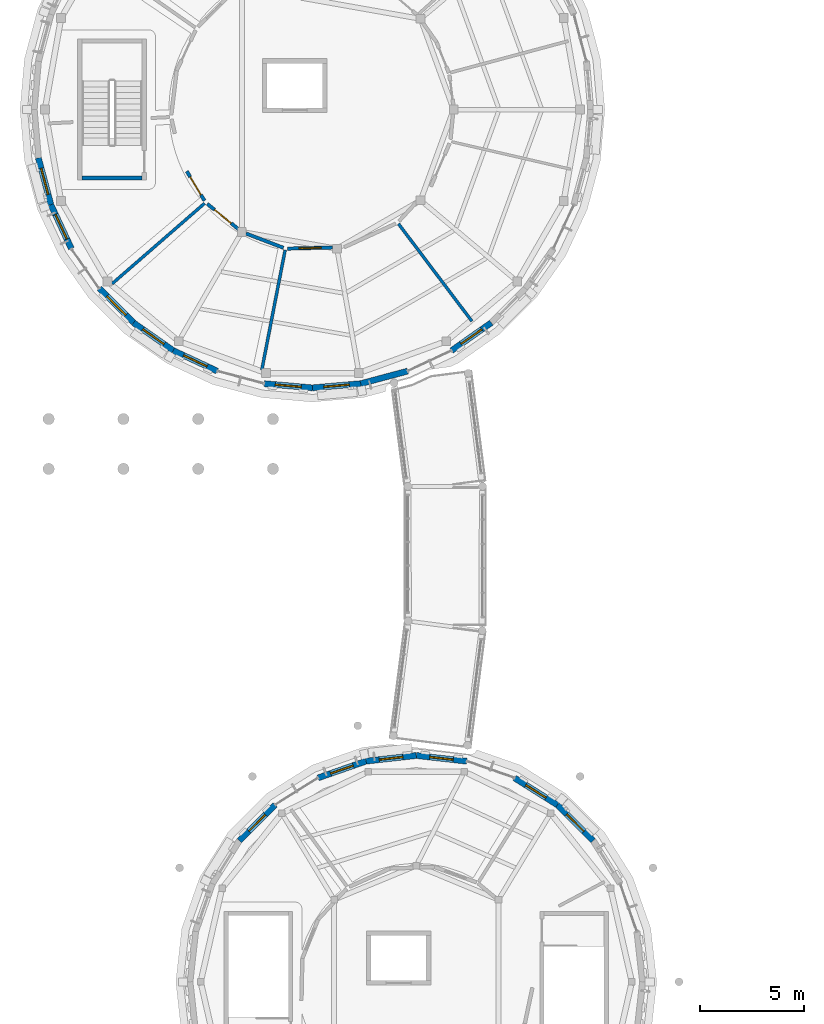
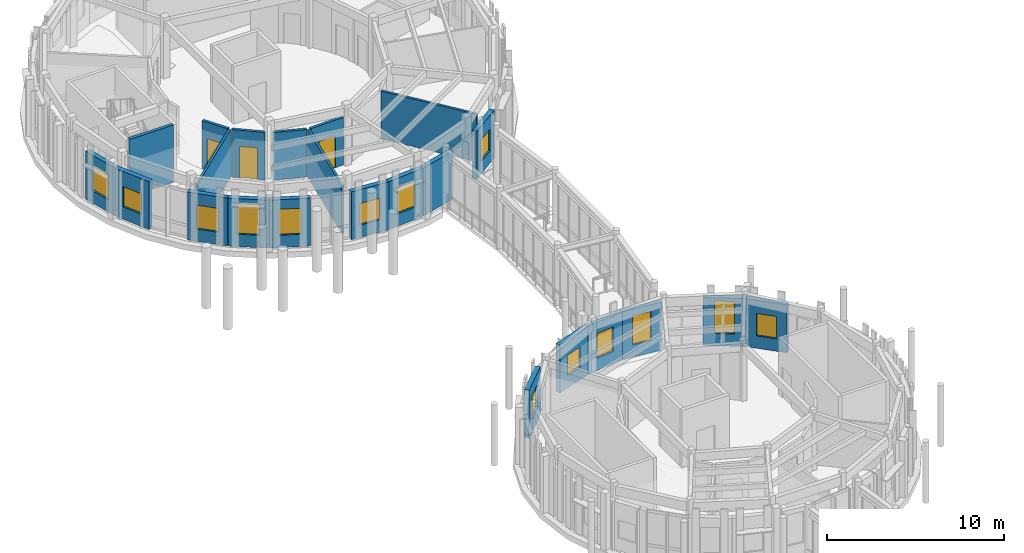
# One storey, part 50 of 80: 23 walls, 14 windows, 3 doors, 17 openings.
"""IFC4 building model written with IfcOpenShell, lengths in metres."""

from ifc_helpers import new_model, si_unit, direction, frame, frame_2d, origin, place, context, subcontext, project, spatial, rectangle, extrude, material, layer, layer_set, type_object, element, fill, save


model = new_model("IFC4")

# Units and contexts
model_context = context("Model", 3, precision=1e-05, world=origin(), true_north=direction((0.0, 1.0)))
body_context = subcontext(model_context, "Body", "Model", "MODEL_VIEW")
ifc_project = project(units=[si_unit("LENGTHUNIT", "METRE"), si_unit("AREAUNIT", "SQUARE_METRE"), si_unit("VOLUMEUNIT", "CUBIC_METRE"), si_unit("PLANEANGLEUNIT", "RADIAN"), si_unit("MASSUNIT", "GRAM", prefix="KILO")], contexts=[model_context])

# Site, building, storey
site_placement = place(None, origin())
site = spatial("IfcSite", under=ifc_project, at=site_placement, CompositionType="ELEMENT")
building_placement = place(site_placement, origin())
building = spatial("IfcBuilding", under=site, at=building_placement, Name="Aldenvaro Health Centre", CompositionType="ELEMENT")
storey_placement = place(building_placement, frame((0.0, 0.0, 4.550048828125)))
storey = spatial("IfcBuildingStorey", under=building, at=storey_placement, Name="L01", CompositionType="ELEMENT", Elevation=4.550048828125)

# Walls
ifc_material_1 = material(Name="Gypsum Stud Acoustic Assembly")
ifc_layer_1 = layer(ifc_material_1, 0.14501953125, Name="Gypsum Stud Acoustic Assembly")
ifc_layer_set_1 = layer_set([ifc_layer_1], Name="Gypsum Stud Acoustic Assembly")
wall_type_1 = type_object("IfcWallType", Name="WL-CLN-145", PredefinedType="PARTITIONING", material=ifc_layer_set_1)
wall_1_placement = place(storey_placement, frame((13.304931640625, 94.98388671875, 0.0), z_axis=(0.0, 0.0, 1.0), x_axis=(-0.754647404393, -0.656130547256, 0.0)))
element("IfcWall", 1, at=wall_1_placement, inside=storey, type_object=wall_type_1, Name="D4 L01 clinical partition 4.1", PredefinedType="PARTITIONING", context=body_context, shape_type="SweptSolid", body=[
    extrude(rectangle(XDim=5.89794921875, YDim=0.14501953125, at=frame_2d((2.948974609375, 0.0))), origin(), (0.0, 0.0, 1.0), 3.283935546875),
])
wall_2_placement = place(storey_placement, frame((17.18701171875, 92.742919921875, 0.0), z_axis=(0.0, 0.0, 1.0), x_axis=(-0.190930602481, -0.981603537604, 0.0)))
element("IfcWall", 2, at=wall_2_placement, inside=storey, type_object=wall_type_1, Name="D4 L01 clinical partition 5.1", PredefinedType="PARTITIONING", context=body_context, shape_type="SweptSolid", body=[
    extrude(rectangle(XDim=5.897216796875, YDim=0.14501953125, at=frame_2d((2.94873046875, 0.0))), origin(), (0.0, 0.0, 1.0), 3.283935546875),
])
wall_3_placement = place(storey_placement, frame((22.64208984375, 94.0029296875, 0.0), z_axis=(0.0, 0.0, 1.0), x_axis=(0.601846782462, -0.798611576701, 0.0)))
element("IfcWall", 3, at=wall_3_placement, inside=storey, type_object=wall_type_1, Name="D4 L01 clinical partition 6.1", PredefinedType="PARTITIONING", context=body_context, shape_type="SweptSolid", body=[
    extrude(rectangle(XDim=5.875, YDim=0.14501953125, at=frame_2d((2.9375, 0.0))), origin(), (0.0, 0.0, 1.0), 3.283935546875),
])

# Wall, opening, door
ifc_layer_2 = layer(ifc_material_1, 0.1650390625, Name="Gypsum Stud Acoustic Assembly")
ifc_layer_set_2 = layer_set([ifc_layer_2], Name="Gypsum Stud Acoustic Assembly")
wall_type_2 = type_object("IfcWallType", Name="WL-COR-165", PredefinedType="PARTITIONING", material=ifc_layer_set_2)
wall_4_placement = place(storey_placement, frame((12.449951171875, 96.530029296875, 0.0), z_axis=(0.0, 0.0, 1.0), x_axis=(0.515842762515, -0.856683281243, 0.0)))
wall_4 = element("IfcWall", 4, at=wall_4_placement, inside=storey, type_object=wall_type_2, Name="D4 L01 corridor wall 03.2", PredefinedType="PARTITIONING", context=body_context, shape_type="SweptSolid", body=[
    extrude(rectangle(XDim=1.65185546875, YDim=0.1650390625, at=frame_2d((0.825927734375, 0.0))), origin(), (0.0, 0.0, 1.0), 3.283935546875),
])
opening_1_placement = place(wall_4_placement, frame((0.321044921875, 0.0, 0.0)))
opening_1 = element("IfcOpeningElement", 5, at=opening_1_placement, cuts=wall_4, Name="Opening D-19", PredefinedType="OPENING", context=body_context, shape_type="SweptSolid", body=[
    extrude(rectangle(XDim=1.010009765625, YDim=2.14990234375, at=frame_2d((0.5048828125, 1.074951171875))), frame((0.0, 0.092529296875, 0.0), z_axis=(0.0, -1.0, 0.0), x_axis=(1.0, 0.0, 0.0)), (0.0, 0.0, 1.0), 0.18505859375),
])
ifc_material_2 = material(Name="Exam Suite Timber Door", Category="wood")
door_type_1 = type_object("IfcDoorType", Name="DR-CLN-19", OperationType="NOTDEFINED", PredefinedType="DOOR", material=ifc_material_2)
door_1_placement = place(opening_1_placement, origin())
door_1 = element("IfcDoor", 6, at=door_1_placement, inside=storey, type_object=door_type_1, Name="Adolescent Medicine Consulting Room Door", OperationType="SINGLE_SWING_LEFT", OverallHeight=2.14990234375, OverallWidth=1.010009765625, PredefinedType="DOOR", context=body_context, shape_type="SweptSolid", body=[
    extrude(rectangle(XDim=1.010009765625, YDim=2.14990234375, at=frame_2d((0.5048828125, 1.074951171875))), frame((0.0, 0.02490234375, 0.0), z_axis=(0.0, -1.0, 0.0), x_axis=(1.0, 0.0, 0.0)), (0.0, 0.0, 1.0), 0.050048828125),
])
fill(opening_1, door_1)

wall_5_placement = place(storey_placement, frame((13.43505859375, 94.962890625, 0.0), z_axis=(0.0, 0.0, 1.0), x_axis=(0.776454505021, -0.63017331079, 0.0)))
wall_5 = element("IfcWall", 7, at=wall_5_placement, inside=storey, type_object=wall_type_2, Name="D4 L01 corridor wall 04.1", PredefinedType="PARTITIONING", context=body_context, shape_type="SweptSolid", body=[
    extrude(rectangle(XDim=1.929443359375, YDim=0.1650390625, at=frame_2d((0.96484375, 0.0))), origin(), (0.0, 0.0, 1.0), 3.283935546875),
])
opening_2_placement = place(wall_5_placement, frame((0.449951171875, 0.0, 0.0)))
opening_2 = element("IfcOpeningElement", 8, at=opening_2_placement, cuts=wall_5, Name="Opening D-20", PredefinedType="OPENING", context=body_context, shape_type="SweptSolid", body=[
    extrude(rectangle(XDim=1.030029296875, YDim=2.179931640625, at=frame_2d((0.51513671875, 1.08984375))), frame((0.0, 0.092529296875, 0.0), z_axis=(0.0, -1.0, 0.0), x_axis=(1.0, 0.0, 0.0)), (0.0, 0.0, 1.0), 0.18505859375),
])
door_type_2 = type_object("IfcDoorType", Name="DR-CLN-20", OperationType="NOTDEFINED", PredefinedType="DOOR", material=ifc_material_2)
door_2_placement = place(opening_2_placement, origin())
door_2 = element("IfcDoor", 9, at=door_2_placement, inside=storey, type_object=door_type_2, Name="Lactation and Infant Care Room Door", OperationType="SINGLE_SWING_RIGHT", OverallHeight=2.179931640625, OverallWidth=1.030029296875, PredefinedType="DOOR", context=body_context, shape_type="SweptSolid", body=[
    extrude(rectangle(XDim=1.030029296875, YDim=2.179931640625, at=frame_2d((0.51513671875, 1.08984375))), frame((0.0, 0.02490234375, 0.0), z_axis=(0.0, -1.0, 0.0), x_axis=(1.0, 0.0, 0.0)), (0.0, 0.0, 1.0), 0.050048828125),
])
fill(opening_2, door_2)

# Wall
wall_6_placement = place(storey_placement, frame((15.301025390625, 93.533935546875, 0.0), z_axis=(0.0, 0.0, 1.0), x_axis=(0.934122555003, -0.356952450944, 0.0)))
element("IfcWall", 10, at=wall_6_placement, inside=storey, type_object=wall_type_2, Name="D4 L01 corridor wall 04.2", PredefinedType="PARTITIONING", context=body_context, shape_type="SweptSolid", body=[
    extrude(rectangle(XDim=1.93017578125, YDim=0.1650390625, at=frame_2d((0.965087890625, 0.0))), origin(), (0.0, 0.0, 1.0), 3.283935546875),
])

# Wall, opening, door
wall_7_placement = place(storey_placement, frame((17.302001953125, 92.805908203125, 0.0), z_axis=(0.0, 0.0, 1.0), x_axis=(0.999688838374, 0.024944466912, 0.0)))
wall_7 = element("IfcWall", 11, at=wall_7_placement, inside=storey, type_object=wall_type_2, Name="D4 L01 corridor wall 05.1", PredefinedType="PARTITIONING", context=body_context, shape_type="SweptSolid", body=[
    extrude(rectangle(XDim=2.1728515625, YDim=0.1650390625, at=frame_2d((1.08642578125, 0.0))), origin(), (0.0, 0.0, 1.0), 3.283935546875),
])
opening_3_placement = place(wall_7_placement, frame((0.552001953125, 0.0, 0.0)))
opening_3 = element("IfcOpeningElement", 12, at=opening_3_placement, cuts=wall_7, Name="Opening D-21", PredefinedType="OPENING", context=body_context, shape_type="SweptSolid", body=[
    extrude(rectangle(XDim=1.070068359375, YDim=2.199951171875, at=frame_2d((0.53515625, 1.10009765625))), frame((0.0, 0.092529296875, 0.0), z_axis=(0.0, -1.0, 0.0), x_axis=(1.0, 0.0, 0.0)), (0.0, 0.0, 1.0), 0.18505859375),
])
door_type_3 = type_object("IfcDoorType", Name="DR-CLN-21", OperationType="NOTDEFINED", PredefinedType="DOOR", material=ifc_material_2)
door_3_placement = place(opening_3_placement, origin())
door_3 = element("IfcDoor", 13, at=door_3_placement, inside=storey, type_object=door_type_3, Name="Family Waiting Lounge Door", OperationType="SINGLE_SWING_LEFT", OverallHeight=2.199951171875, OverallWidth=1.070068359375, PredefinedType="DOOR", context=body_context, shape_type="SweptSolid", body=[
    extrude(rectangle(XDim=1.070068359375, YDim=2.199951171875, at=frame_2d((0.53515625, 1.10009765625))), frame((0.0, 0.02490234375, 0.0), z_axis=(0.0, -1.0, 0.0), x_axis=(1.0, 0.0, 0.0)), (0.0, 0.0, 1.0), 0.050048828125),
])
fill(opening_3, door_3)

# Wall, opening, window
ifc_material_3 = material(Name="Cross-laminated timber CLT E1", Category="wood")
ifc_layer_3 = layer(ifc_material_3, 0.2900390625, Name="Cross-laminated timber CLT E1", Category="wood")
ifc_layer_set_3 = layer_set([ifc_layer_3], Name="Cross-laminated timber CLT E1")
wall_type_3 = type_object("IfcWallType", Name="WL-EXT-290", PredefinedType="ELEMENTEDWALL", material=ifc_layer_set_3)
wall_8_placement = place(storey_placement, frame((14.97802734375, 64.2958984375, 0.0), z_axis=(0.0, 0.0, 1.0), x_axis=(0.707106781187, 0.707106781187, 0.0)))
wall_8 = element("IfcWall", 14, at=wall_8_placement, inside=storey, type_object=wall_type_3, Name="D3 L01 exterior wall 18", PredefinedType="ELEMENTEDWALL", context=body_context, shape_type="SweptSolid", body=[
    extrude(rectangle(XDim=2.44091796875, YDim=0.2900390625, at=frame_2d((1.220458984375, 0.0))), origin(), (0.0, 0.0, 1.0), 3.31396484375),
])
opening_4_placement = place(wall_8_placement, frame((0.659912109375, 0.0, 0.85009765625)))
opening_4 = element("IfcOpeningElement", 15, at=opening_4_placement, cuts=wall_8, Name="Opening W-29", PredefinedType="OPENING", context=body_context, shape_type="SweptSolid", body=[
    extrude(rectangle(XDim=1.1201171875, YDim=1.64990234375, at=frame_2d((0.56005859375, 0.824951171875))), frame((0.0, 0.155029296875, 0.0), z_axis=(0.0, -1.0, 0.0), x_axis=(1.0, 0.0, 0.0)), (0.0, 0.0, 1.0), 0.31005859375),
])
ifc_material_4 = material(Name="Thermally Broken Aluminium Low-E Glass", Category="aluminium")
window_type_1 = type_object("IfcWindowType", Name="WN-EXT-29", PartitioningType="SINGLE_PANEL", PredefinedType="WINDOW", material=ifc_material_4)
window_1_placement = place(opening_4_placement, origin())
window_1 = element("IfcWindow", 16, at=window_1_placement, inside=storey, type_object=window_type_1, Name="D3 L01 clinical window 18", OverallHeight=1.64990234375, OverallWidth=1.1201171875, PartitioningType="SINGLE_PANEL", PredefinedType="WINDOW", context=body_context, shape_type="SweptSolid", body=[
    extrude(rectangle(XDim=1.1201171875, YDim=1.64990234375, at=frame_2d((0.56005859375, 0.824951171875))), frame((0.0, 0.030029296875, 0.0), z_axis=(0.0, -1.0, 0.0), x_axis=(1.0, 0.0, 0.0)), (0.0, 0.0, 1.0), 0.06005859375),
])
fill(opening_4, window_1)

wall_9_placement = place(storey_placement, frame((18.77099609375, 67.321044921875, 0.0), z_axis=(0.0, 0.0, 1.0), x_axis=(0.943919156274, 0.330176659411, 0.0)))
wall_9 = element("IfcWall", 17, at=wall_9_placement, inside=storey, type_object=wall_type_3, Name="D3 L01 exterior wall 20", PredefinedType="ELEMENTEDWALL", context=body_context, shape_type="SweptSolid", body=[
    extrude(rectangle(XDim=2.44091796875, YDim=0.2900390625, at=frame_2d((1.220458984375, 0.0))), origin(), (0.0, 0.0, 1.0), 3.31396484375),
])
opening_5_placement = place(wall_9_placement, frame((0.64501953125, 0.0, 0.85009765625)))
opening_5 = element("IfcOpeningElement", 18, at=opening_5_placement, cuts=wall_9, Name="Opening W-30", PredefinedType="OPENING", context=body_context, shape_type="SweptSolid", body=[
    extrude(rectangle(XDim=1.14990234375, YDim=1.39990234375, at=frame_2d((0.574951171875, 0.699951171875))), frame((0.0, 0.155029296875, 0.0), z_axis=(0.0, -1.0, 0.0), x_axis=(1.0, 0.0, 0.0)), (0.0, 0.0, 1.0), 0.31005859375),
])
window_type_2 = type_object("IfcWindowType", Name="WN-EXT-30", PartitioningType="SINGLE_PANEL", PredefinedType="WINDOW", material=ifc_material_4)
window_2_placement = place(opening_5_placement, origin())
window_2 = element("IfcWindow", 19, at=window_2_placement, inside=storey, type_object=window_type_2, Name="D3 L01 clinical window 20", OverallHeight=1.39990234375, OverallWidth=1.14990234375, PartitioningType="SINGLE_PANEL", PredefinedType="WINDOW", context=body_context, shape_type="SweptSolid", body=[
    extrude(rectangle(XDim=1.14990234375, YDim=1.39990234375, at=frame_2d((0.574951171875, 0.699951171875))), frame((0.0, 0.030029296875, 0.0), z_axis=(0.0, -1.0, 0.0), x_axis=(1.0, 0.0, 0.0)), (0.0, 0.0, 1.0), 0.06005859375),
])
fill(opening_5, window_2)

wall_10_placement = place(storey_placement, frame((21.074951171875, 68.126953125, 0.0), z_axis=(0.0, 0.0, 1.0), x_axis=(0.993725340882, 0.111847873866, 0.0)))
wall_10 = element("IfcWall", 20, at=wall_10_placement, inside=storey, type_object=wall_type_3, Name="D3 L01 exterior wall 21", PredefinedType="ELEMENTEDWALL", context=body_context, shape_type="SweptSolid", body=[
    extrude(rectangle(XDim=2.4404296875, YDim=0.2900390625, at=frame_2d((1.22021484375, 0.0))), origin(), (0.0, 0.0, 1.0), 3.31396484375),
])
opening_6_placement = place(wall_10_placement, frame((0.64501953125, 0.0, 0.85009765625)))
opening_6 = element("IfcOpeningElement", 21, at=opening_6_placement, cuts=wall_10, Name="Opening W-31", PredefinedType="OPENING", context=body_context, shape_type="SweptSolid", body=[
    extrude(rectangle(XDim=1.14990234375, YDim=1.699951171875, at=frame_2d((0.574951171875, 0.85009765625))), frame((0.0, 0.155029296875, 0.0), z_axis=(0.0, -1.0, 0.0), x_axis=(1.0, 0.0, 0.0)), (0.0, 0.0, 1.0), 0.31005859375),
])
window_type_3 = type_object("IfcWindowType", Name="WN-EXT-31", PartitioningType="SINGLE_PANEL", PredefinedType="WINDOW", material=ifc_material_4)
window_3_placement = place(opening_6_placement, origin())
window_3 = element("IfcWindow", 22, at=window_3_placement, inside=storey, type_object=window_type_3, Name="D3 L01 clinical window 21", OverallHeight=1.699951171875, OverallWidth=1.14990234375, PartitioningType="SINGLE_PANEL", PredefinedType="WINDOW", context=body_context, shape_type="SweptSolid", body=[
    extrude(rectangle(XDim=1.14990234375, YDim=1.699951171875, at=frame_2d((0.574951171875, 0.85009765625))), frame((0.0, 0.030029296875, 0.0), z_axis=(0.0, -1.0, 0.0), x_axis=(1.0, 0.0, 0.0)), (0.0, 0.0, 1.0), 0.06005859375),
])
fill(opening_6, window_3)

wall_11_placement = place(storey_placement, frame((23.5, 68.39990234375, 0.0), z_axis=(0.0, 0.0, 1.0), x_axis=(0.993725340882, -0.111847873866, 0.0)))
wall_11 = element("IfcWall", 23, at=wall_11_placement, inside=storey, type_object=wall_type_3, Name="D3 L01 exterior wall 22", PredefinedType="ELEMENTEDWALL", context=body_context, shape_type="SweptSolid", body=[
    extrude(rectangle(XDim=2.4404296875, YDim=0.2900390625, at=frame_2d((1.22021484375, 0.0))), origin(), (0.0, 0.0, 1.0), 3.31396484375),
])
opening_7_placement = place(wall_11_placement, frame((0.64501953125, 0.0, 0.85009765625)))
opening_7 = element("IfcOpeningElement", 24, at=opening_7_placement, cuts=wall_11, Name="Opening W-32", PredefinedType="OPENING", context=body_context, shape_type="SweptSolid", body=[
    extrude(rectangle(XDim=1.14990234375, YDim=2.0, at=frame_2d((0.574951171875, 1.0))), frame((0.0, 0.155029296875, 0.0), z_axis=(0.0, -1.0, 0.0), x_axis=(1.0, 0.0, 0.0)), (0.0, 0.0, 1.0), 0.31005859375),
])
window_type_4 = type_object("IfcWindowType", Name="WN-EXT-32", PartitioningType="SINGLE_PANEL", PredefinedType="WINDOW", material=ifc_material_4)
window_4_placement = place(opening_7_placement, origin())
window_4 = element("IfcWindow", 25, at=window_4_placement, inside=storey, type_object=window_type_4, Name="D3 L01 clinical window 22", OverallHeight=2.0, OverallWidth=1.14990234375, PartitioningType="SINGLE_PANEL", PredefinedType="WINDOW", context=body_context, shape_type="SweptSolid", body=[
    extrude(rectangle(XDim=1.14990234375, YDim=2.0, at=frame_2d((0.574951171875, 1.0))), frame((0.0, 0.030029296875, 0.0), z_axis=(0.0, -1.0, 0.0), x_axis=(1.0, 0.0, 0.0)), (0.0, 0.0, 1.0), 0.06005859375),
])
fill(opening_7, window_4)

wall_12_placement = place(storey_placement, frame((28.22900390625, 67.321044921875, 0.0), z_axis=(0.0, 0.0, 1.0), x_axis=(0.846658434148, -0.532136726684, 0.0)))
wall_12 = element("IfcWall", 26, at=wall_12_placement, inside=storey, type_object=wall_type_3, Name="D3 L01 exterior wall 24", PredefinedType="ELEMENTEDWALL", context=body_context, shape_type="SweptSolid", body=[
    extrude(rectangle(XDim=2.441162109375, YDim=0.2900390625, at=frame_2d((1.220703125, 0.0))), origin(), (0.0, 0.0, 1.0), 3.31396484375),
])
opening_8_placement = place(wall_12_placement, frame((0.64599609375, 0.0, 0.85009765625)))
opening_8 = element("IfcOpeningElement", 27, at=opening_8_placement, cuts=wall_12, Name="Opening W-33", PredefinedType="OPENING", context=body_context, shape_type="SweptSolid", body=[
    extrude(rectangle(XDim=1.14990234375, YDim=2.25, at=frame_2d((0.574951171875, 1.125))), frame((0.0, 0.155029296875, 0.0), z_axis=(0.0, -1.0, 0.0), x_axis=(1.0, 0.0, 0.0)), (0.0, 0.0, 1.0), 0.31005859375),
])
window_type_5 = type_object("IfcWindowType", Name="WN-EXT-33", PartitioningType="SINGLE_PANEL", PredefinedType="WINDOW", material=ifc_material_4)
window_5_placement = place(opening_8_placement, origin())
window_5 = element("IfcWindow", 28, at=window_5_placement, inside=storey, type_object=window_type_5, Name="D3 L01 clinical window 24", OverallHeight=2.25, OverallWidth=1.14990234375, PartitioningType="SINGLE_PANEL", PredefinedType="WINDOW", context=body_context, shape_type="SweptSolid", body=[
    extrude(rectangle(XDim=1.14990234375, YDim=2.25, at=frame_2d((0.574951171875, 1.125))), frame((0.0, 0.030029296875, 0.0), z_axis=(0.0, -1.0, 0.0), x_axis=(1.0, 0.0, 0.0)), (0.0, 0.0, 1.0), 0.06005859375),
])
fill(opening_8, window_5)

wall_13_placement = place(storey_placement, frame((30.2958984375, 66.02197265625, 0.0), z_axis=(0.0, 0.0, 1.0), x_axis=(0.707106781187, -0.707106781187, 0.0)))
wall_13 = element("IfcWall", 29, at=wall_13_placement, inside=storey, type_object=wall_type_3, Name="D3 L01 exterior wall 25", PredefinedType="ELEMENTEDWALL", context=body_context, shape_type="SweptSolid", body=[
    extrude(rectangle(XDim=2.44091796875, YDim=0.2900390625, at=frame_2d((1.220458984375, 0.0))), origin(), (0.0, 0.0, 1.0), 3.31396484375),
])
opening_9_placement = place(wall_13_placement, frame((0.6298828125, 0.0, 0.85009765625)))
opening_9 = element("IfcOpeningElement", 30, at=opening_9_placement, cuts=wall_13, Name="Opening W-34", PredefinedType="OPENING", context=body_context, shape_type="SweptSolid", body=[
    extrude(rectangle(XDim=1.179931640625, YDim=1.550048828125, at=frame_2d((0.58984375, 0.77490234375))), frame((0.0, 0.155029296875, 0.0), z_axis=(0.0, -1.0, 0.0), x_axis=(1.0, 0.0, 0.0)), (0.0, 0.0, 1.0), 0.31005859375),
])
window_type_6 = type_object("IfcWindowType", Name="WN-EXT-34", PartitioningType="SINGLE_PANEL", PredefinedType="WINDOW", material=ifc_material_4)
window_6_placement = place(opening_9_placement, origin())
window_6 = element("IfcWindow", 31, at=window_6_placement, inside=storey, type_object=window_type_6, Name="D3 L01 clinical window 25", OverallHeight=1.550048828125, OverallWidth=1.179931640625, PartitioningType="SINGLE_PANEL", PredefinedType="WINDOW", context=body_context, shape_type="SweptSolid", body=[
    extrude(rectangle(XDim=1.179931640625, YDim=1.550048828125, at=frame_2d((0.58984375, 0.77490234375))), frame((0.0, 0.030029296875, 0.0), z_axis=(0.0, -1.0, 0.0), x_axis=(1.0, 0.0, 0.0)), (0.0, 0.0, 1.0), 0.06005859375),
])
fill(opening_9, window_6)

wall_14_placement = place(storey_placement, frame((27.113037109375, 89.235107421875, 0.0), z_axis=(0.0, 0.0, 1.0), x_axis=(-0.819045278347, -0.573728883722, 0.0)))
wall_14 = element("IfcWall", 32, at=wall_14_placement, inside=storey, type_object=wall_type_3, Name="D4 L01 exterior wall 06", PredefinedType="ELEMENTEDWALL", context=body_context, shape_type="SweptSolid", body=[
    extrude(rectangle(XDim=2.335693359375, YDim=0.2900390625, at=frame_2d((1.16796875, 0.0))), origin(), (0.0, 0.0, 1.0), 3.308837890625),
])
opening_10_placement = place(wall_14_placement, frame((0.55810546875, 0.0, 0.85009765625)))
opening_10 = element("IfcOpeningElement", 33, at=opening_10_placement, cuts=wall_14, Name="Opening W-40", PredefinedType="OPENING", context=body_context, shape_type="SweptSolid", body=[
    extrude(rectangle(XDim=1.219970703125, YDim=1.5, at=frame_2d((0.60986328125, 0.75))), frame((0.0, 0.155029296875, 0.0), z_axis=(0.0, -1.0, 0.0), x_axis=(1.0, 0.0, 0.0)), (0.0, 0.0, 1.0), 0.31005859375),
])
window_type_7 = type_object("IfcWindowType", Name="WN-EXT-40", PartitioningType="SINGLE_PANEL", PredefinedType="WINDOW", material=ifc_material_4)
window_7_placement = place(opening_10_placement, origin())
window_7 = element("IfcWindow", 34, at=window_7_placement, inside=storey, type_object=window_type_7, Name="D4 L01 clinical window 06", OverallHeight=1.5, OverallWidth=1.219970703125, PartitioningType="SINGLE_PANEL", PredefinedType="WINDOW", context=body_context, shape_type="SweptSolid", body=[
    extrude(rectangle(XDim=1.219970703125, YDim=1.5, at=frame_2d((0.60986328125, 0.75))), frame((0.0, 0.030029296875, 0.0), z_axis=(0.0, -1.0, 0.0), x_axis=(1.0, 0.0, 0.0)), (0.0, 0.0, 1.0), 0.06005859375),
])
fill(opening_10, window_7)

# Wall
wall_15_placement = place(storey_placement, frame((23.0830078125, 86.907958984375, 0.0), z_axis=(0.0, 0.0, 1.0), x_axis=(-0.965981166673, -0.258612423585, 0.0)))
element("IfcWall", 35, at=wall_15_placement, inside=storey, type_object=wall_type_3, Name="D4 L01 exterior wall 08", PredefinedType="ELEMENTEDWALL", context=body_context, shape_type="SweptSolid", body=[
    extrude(rectangle(XDim=2.33544921875, YDim=0.2900390625, at=frame_2d((1.167724609375, 0.0))), origin(), (0.0, 0.0, 1.0), 3.308837890625),
])

# Wall, opening, window
wall_16_placement = place(storey_placement, frame((20.826904296875, 86.303955078125, 0.0), z_axis=(0.0, 0.0, 1.0), x_axis=(-0.996184295282, -0.087274565792, 0.0)))
wall_16 = element("IfcWall", 36, at=wall_16_placement, inside=storey, type_object=wall_type_3, Name="D4 L01 exterior wall 09", PredefinedType="ELEMENTEDWALL", context=body_context, shape_type="SweptSolid", body=[
    extrude(rectangle(XDim=2.3359375, YDim=0.2900390625, at=frame_2d((1.16796875, 0.0))), origin(), (0.0, 0.0, 1.0), 3.308837890625),
])
opening_11_placement = place(wall_16_placement, frame((0.55810546875, 0.0, 0.85009765625)))
opening_11 = element("IfcOpeningElement", 37, at=opening_11_placement, cuts=wall_16, Name="Opening W-41", PredefinedType="OPENING", context=body_context, shape_type="SweptSolid", body=[
    extrude(rectangle(XDim=1.219970703125, YDim=1.800048828125, at=frame_2d((0.60986328125, 0.89990234375))), frame((0.0, 0.155029296875, 0.0), z_axis=(0.0, -1.0, 0.0), x_axis=(1.0, 0.0, 0.0)), (0.0, 0.0, 1.0), 0.31005859375),
])
window_type_8 = type_object("IfcWindowType", Name="WN-EXT-41", PartitioningType="SINGLE_PANEL", PredefinedType="WINDOW", material=ifc_material_4)
window_8_placement = place(opening_11_placement, origin())
window_8 = element("IfcWindow", 38, at=window_8_placement, inside=storey, type_object=window_type_8, Name="D4 L01 clinical window 09", OverallHeight=1.800048828125, OverallWidth=1.219970703125, PartitioningType="SINGLE_PANEL", PredefinedType="WINDOW", context=body_context, shape_type="SweptSolid", body=[
    extrude(rectangle(XDim=1.219970703125, YDim=1.800048828125, at=frame_2d((0.60986328125, 0.89990234375))), frame((0.0, 0.030029296875, 0.0), z_axis=(0.0, -1.0, 0.0), x_axis=(1.0, 0.0, 0.0)), (0.0, 0.0, 1.0), 0.06005859375),
])
fill(opening_11, window_8)

wall_17_placement = place(storey_placement, frame((18.5, 86.10009765625, 0.0), z_axis=(0.0, 0.0, 1.0), x_axis=(-0.996184295282, 0.087274565792, 0.0)))
wall_17 = element("IfcWall", 39, at=wall_17_placement, inside=storey, type_object=wall_type_3, Name="D4 L01 exterior wall 10", PredefinedType="ELEMENTEDWALL", context=body_context, shape_type="SweptSolid", body=[
    extrude(rectangle(XDim=2.3359375, YDim=0.2900390625, at=frame_2d((1.16796875, 0.0))), origin(), (0.0, 0.0, 1.0), 3.308837890625),
])
opening_12_placement = place(wall_17_placement, frame((0.54296875, 0.0, 0.85009765625)))
opening_12 = element("IfcOpeningElement", 40, at=opening_12_placement, cuts=wall_17, Name="Opening W-42", PredefinedType="OPENING", context=body_context, shape_type="SweptSolid", body=[
    extrude(rectangle(XDim=1.25, YDim=1.5, at=frame_2d((0.625, 0.75))), frame((0.0, 0.155029296875, 0.0), z_axis=(0.0, -1.0, 0.0), x_axis=(1.0, 0.0, 0.0)), (0.0, 0.0, 1.0), 0.31005859375),
])
window_type_9 = type_object("IfcWindowType", Name="WN-EXT-42", PartitioningType="SINGLE_PANEL", PredefinedType="WINDOW", material=ifc_material_4)
window_9_placement = place(opening_12_placement, origin())
window_9 = element("IfcWindow", 41, at=window_9_placement, inside=storey, type_object=window_type_9, Name="D4 L01 clinical window 10", OverallHeight=1.5, OverallWidth=1.25, PartitioningType="SINGLE_PANEL", PredefinedType="WINDOW", context=body_context, shape_type="SweptSolid", body=[
    extrude(rectangle(XDim=1.25, YDim=1.5, at=frame_2d((0.625, 0.75))), frame((0.0, 0.030029296875, 0.0), z_axis=(0.0, -1.0, 0.0), x_axis=(1.0, 0.0, 0.0)), (0.0, 0.0, 1.0), 0.06005859375),
])
fill(opening_12, window_9)

wall_18_placement = place(storey_placement, frame((13.9169921875, 86.907958984375, 0.0), z_axis=(0.0, 0.0, 1.0), x_axis=(-0.906321946979, 0.422587894318, 0.0)))
wall_18 = element("IfcWall", 42, at=wall_18_placement, inside=storey, type_object=wall_type_3, Name="D4 L01 exterior wall 12", PredefinedType="ELEMENTEDWALL", context=body_context, shape_type="SweptSolid", body=[
    extrude(rectangle(XDim=2.335693359375, YDim=0.2900390625, at=frame_2d((1.16796875, 0.0))), origin(), (0.0, 0.0, 1.0), 3.308837890625),
])
opening_13_placement = place(wall_18_placement, frame((0.54296875, 0.0, 0.85009765625)))
opening_13 = element("IfcOpeningElement", 43, at=opening_13_placement, cuts=wall_18, Name="Opening W-43", PredefinedType="OPENING", context=body_context, shape_type="SweptSolid", body=[
    extrude(rectangle(XDim=1.25, YDim=1.800048828125, at=frame_2d((0.625, 0.89990234375))), frame((0.0, 0.155029296875, 0.0), z_axis=(0.0, -1.0, 0.0), x_axis=(1.0, 0.0, 0.0)), (0.0, 0.0, 1.0), 0.31005859375),
])
window_type_10 = type_object("IfcWindowType", Name="WN-EXT-43", PartitioningType="SINGLE_PANEL", PredefinedType="WINDOW", material=ifc_material_4)
window_10_placement = place(opening_13_placement, origin())
window_10 = element("IfcWindow", 44, at=window_10_placement, inside=storey, type_object=window_type_10, Name="D4 L01 clinical window 12", OverallHeight=1.800048828125, OverallWidth=1.25, PartitioningType="SINGLE_PANEL", PredefinedType="WINDOW", context=body_context, shape_type="SweptSolid", body=[
    extrude(rectangle(XDim=1.25, YDim=1.800048828125, at=frame_2d((0.625, 0.89990234375))), frame((0.0, 0.030029296875, 0.0), z_axis=(0.0, -1.0, 0.0), x_axis=(1.0, 0.0, 0.0)), (0.0, 0.0, 1.0), 0.06005859375),
])
fill(opening_13, window_10)

wall_19_placement = place(storey_placement, frame((11.800048828125, 87.89501953125, 0.0), z_axis=(0.0, 0.0, 1.0), x_axis=(-0.819045278347, 0.573728883722, 0.0)))
wall_19 = element("IfcWall", 45, at=wall_19_placement, inside=storey, type_object=wall_type_3, Name="D4 L01 exterior wall 13", PredefinedType="ELEMENTEDWALL", context=body_context, shape_type="SweptSolid", body=[
    extrude(rectangle(XDim=2.335693359375, YDim=0.2900390625, at=frame_2d((1.16796875, 0.0))), origin(), (0.0, 0.0, 1.0), 3.308837890625),
])
opening_14_placement = place(wall_19_placement, frame((0.54296875, 0.0, 0.85009765625)))
opening_14 = element("IfcOpeningElement", 46, at=opening_14_placement, cuts=wall_19, Name="Opening W-44", PredefinedType="OPENING", context=body_context, shape_type="SweptSolid", body=[
    extrude(rectangle(XDim=1.25, YDim=2.10009765625, at=frame_2d((0.625, 1.050048828125))), frame((0.0, 0.155029296875, 0.0), z_axis=(0.0, -1.0, 0.0), x_axis=(1.0, 0.0, 0.0)), (0.0, 0.0, 1.0), 0.31005859375),
])
window_type_11 = type_object("IfcWindowType", Name="WN-EXT-44", PartitioningType="SINGLE_PANEL", PredefinedType="WINDOW", material=ifc_material_4)
window_11_placement = place(opening_14_placement, origin())
window_11 = element("IfcWindow", 47, at=window_11_placement, inside=storey, type_object=window_type_11, Name="D4 L01 clinical window 13", OverallHeight=2.10009765625, OverallWidth=1.25, PartitioningType="SINGLE_PANEL", PredefinedType="WINDOW", context=body_context, shape_type="SweptSolid", body=[
    extrude(rectangle(XDim=1.25, YDim=2.10009765625, at=frame_2d((0.625, 1.050048828125))), frame((0.0, 0.030029296875, 0.0), z_axis=(0.0, -1.0, 0.0), x_axis=(1.0, 0.0, 0.0)), (0.0, 0.0, 1.0), 0.06005859375),
])
fill(opening_14, window_11)

wall_20_placement = place(storey_placement, frame((9.886962890625, 89.235107421875, 0.0), z_axis=(0.0, 0.0, 1.0), x_axis=(-0.707106781187, 0.707106781187, 0.0)))
wall_20 = element("IfcWall", 48, at=wall_20_placement, inside=storey, type_object=wall_type_3, Name="D4 L01 exterior wall 14", PredefinedType="ELEMENTEDWALL", context=body_context, shape_type="SweptSolid", body=[
    extrude(rectangle(XDim=2.336181640625, YDim=0.2900390625, at=frame_2d((1.16796875, 0.0))), origin(), (0.0, 0.0, 1.0), 3.308837890625),
])
opening_15_placement = place(wall_20_placement, frame((0.528076171875, 0.0, 0.85009765625)))
opening_15 = element("IfcOpeningElement", 49, at=opening_15_placement, cuts=wall_20, Name="Opening W-45", PredefinedType="OPENING", context=body_context, shape_type="SweptSolid", body=[
    extrude(rectangle(XDim=1.280029296875, YDim=1.64990234375, at=frame_2d((0.64013671875, 0.824951171875))), frame((0.0, 0.155029296875, 0.0), z_axis=(0.0, -1.0, 0.0), x_axis=(1.0, 0.0, 0.0)), (0.0, 0.0, 1.0), 0.31005859375),
])
window_type_12 = type_object("IfcWindowType", Name="WN-EXT-45", PartitioningType="SINGLE_PANEL", PredefinedType="WINDOW", material=ifc_material_4)
window_12_placement = place(opening_15_placement, origin())
window_12 = element("IfcWindow", 50, at=window_12_placement, inside=storey, type_object=window_type_12, Name="D4 L01 clinical window 14", OverallHeight=1.64990234375, OverallWidth=1.280029296875, PartitioningType="SINGLE_PANEL", PredefinedType="WINDOW", context=body_context, shape_type="SweptSolid", body=[
    extrude(rectangle(XDim=1.280029296875, YDim=1.64990234375, at=frame_2d((0.64013671875, 0.824951171875))), frame((0.0, 0.030029296875, 0.0), z_axis=(0.0, -1.0, 0.0), x_axis=(1.0, 0.0, 0.0)), (0.0, 0.0, 1.0), 0.06005859375),
])
fill(opening_15, window_12)

wall_21_placement = place(storey_placement, frame((6.89501953125, 92.800048828125, 0.0), z_axis=(0.0, 0.0, 1.0), x_axis=(-0.422587894318, 0.906321946979, 0.0)))
wall_21 = element("IfcWall", 51, at=wall_21_placement, inside=storey, type_object=wall_type_3, Name="D4 L01 exterior wall 16", PredefinedType="ELEMENTEDWALL", context=body_context, shape_type="SweptSolid", body=[
    extrude(rectangle(XDim=2.335693359375, YDim=0.2900390625, at=frame_2d((1.16796875, 0.0))), origin(), (0.0, 0.0, 1.0), 3.308837890625),
])
opening_16_placement = place(wall_21_placement, frame((0.51806640625, 0.0, 0.85009765625)))
opening_16 = element("IfcOpeningElement", 52, at=opening_16_placement, cuts=wall_21, Name="Opening W-46", PredefinedType="OPENING", context=body_context, shape_type="SweptSolid", body=[
    extrude(rectangle(XDim=1.300048828125, YDim=1.39990234375, at=frame_2d((0.64990234375, 0.699951171875))), frame((0.0, 0.155029296875, 0.0), z_axis=(0.0, -1.0, 0.0), x_axis=(1.0, 0.0, 0.0)), (0.0, 0.0, 1.0), 0.31005859375),
])
window_type_13 = type_object("IfcWindowType", Name="WN-EXT-46", PartitioningType="SINGLE_PANEL", PredefinedType="WINDOW", material=ifc_material_4)
window_13_placement = place(opening_16_placement, origin())
window_13 = element("IfcWindow", 53, at=window_13_placement, inside=storey, type_object=window_type_13, Name="D4 L01 clinical window 16", OverallHeight=1.39990234375, OverallWidth=1.300048828125, PartitioningType="SINGLE_PANEL", PredefinedType="WINDOW", context=body_context, shape_type="SweptSolid", body=[
    extrude(rectangle(XDim=1.300048828125, YDim=1.39990234375, at=frame_2d((0.64990234375, 0.699951171875))), frame((0.0, 0.030029296875, 0.0), z_axis=(0.0, -1.0, 0.0), x_axis=(1.0, 0.0, 0.0)), (0.0, 0.0, 1.0), 0.06005859375),
])
fill(opening_16, window_13)

wall_22_placement = place(storey_placement, frame((5.907958984375, 94.9169921875, 0.0), z_axis=(0.0, 0.0, 1.0), x_axis=(-0.258612423585, 0.965981166673, 0.0)))
wall_22 = element("IfcWall", 54, at=wall_22_placement, inside=storey, type_object=wall_type_3, Name="D4 L01 exterior wall 17", PredefinedType="ELEMENTEDWALL", context=body_context, shape_type="SweptSolid", body=[
    extrude(rectangle(XDim=2.33544921875, YDim=0.2900390625, at=frame_2d((1.167724609375, 0.0))), origin(), (0.0, 0.0, 1.0), 3.308837890625),
])
opening_17_placement = place(wall_22_placement, frame((0.51806640625, 0.0, 0.85009765625)))
opening_17 = element("IfcOpeningElement", 55, at=opening_17_placement, cuts=wall_22, Name="Opening W-47", PredefinedType="OPENING", context=body_context, shape_type="SweptSolid", body=[
    extrude(rectangle(XDim=1.300048828125, YDim=1.699951171875, at=frame_2d((0.64990234375, 0.85009765625))), frame((0.0, 0.155029296875, 0.0), z_axis=(0.0, -1.0, 0.0), x_axis=(1.0, 0.0, 0.0)), (0.0, 0.0, 1.0), 0.31005859375),
])
window_type_14 = type_object("IfcWindowType", Name="WN-EXT-47", PartitioningType="SINGLE_PANEL", PredefinedType="WINDOW", material=ifc_material_4)
window_14_placement = place(opening_17_placement, origin())
window_14 = element("IfcWindow", 56, at=window_14_placement, inside=storey, type_object=window_type_14, Name="D4 L01 clinical window 17", OverallHeight=1.699951171875, OverallWidth=1.300048828125, PartitioningType="SINGLE_PANEL", PredefinedType="WINDOW", context=body_context, shape_type="SweptSolid", body=[
    extrude(rectangle(XDim=1.300048828125, YDim=1.699951171875, at=frame_2d((0.64990234375, 0.85009765625))), frame((0.0, 0.030029296875, 0.0), z_axis=(0.0, -1.0, 0.0), x_axis=(1.0, 0.0, 0.0)), (0.0, 0.0, 1.0), 0.06005859375),
])
fill(opening_17, window_14)

# Wall
ifc_material_5 = material(Name="Concrete f'c 40 MPa", Category="concrete")
ifc_layer_4 = layer(ifc_material_5, 0.199951171875, Name="Concrete f'c 40 MPa", Category="concrete")
ifc_layer_set_4 = layer_set([ifc_layer_4], Name="Concrete f'c 40 MPa")
wall_type_4 = type_object("IfcWallType", Name="WL-SHAFT-200", PredefinedType="SHEAR", material=ifc_layer_set_4)
wall_23_placement = place(storey_placement, frame((10.300048828125, 96.199951171875, 0.0), z_axis=(0.0, 0.0, 1.0), x_axis=(-1.0, 0.0, 0.0)))
element("IfcWall", 57, at=wall_23_placement, inside=storey, type_object=wall_type_4, Name="ST-08 L01 side core wall L", PredefinedType="SHEAR", context=body_context, shape_type="SweptSolid", body=[
    extrude(rectangle(XDim=2.900146484375, YDim=0.199951171875, at=frame_2d((1.4501953125, 0.0))), origin(), (0.0, 0.0, 1.0), 3.954833984375),
])

save(model, "model.ifc")
